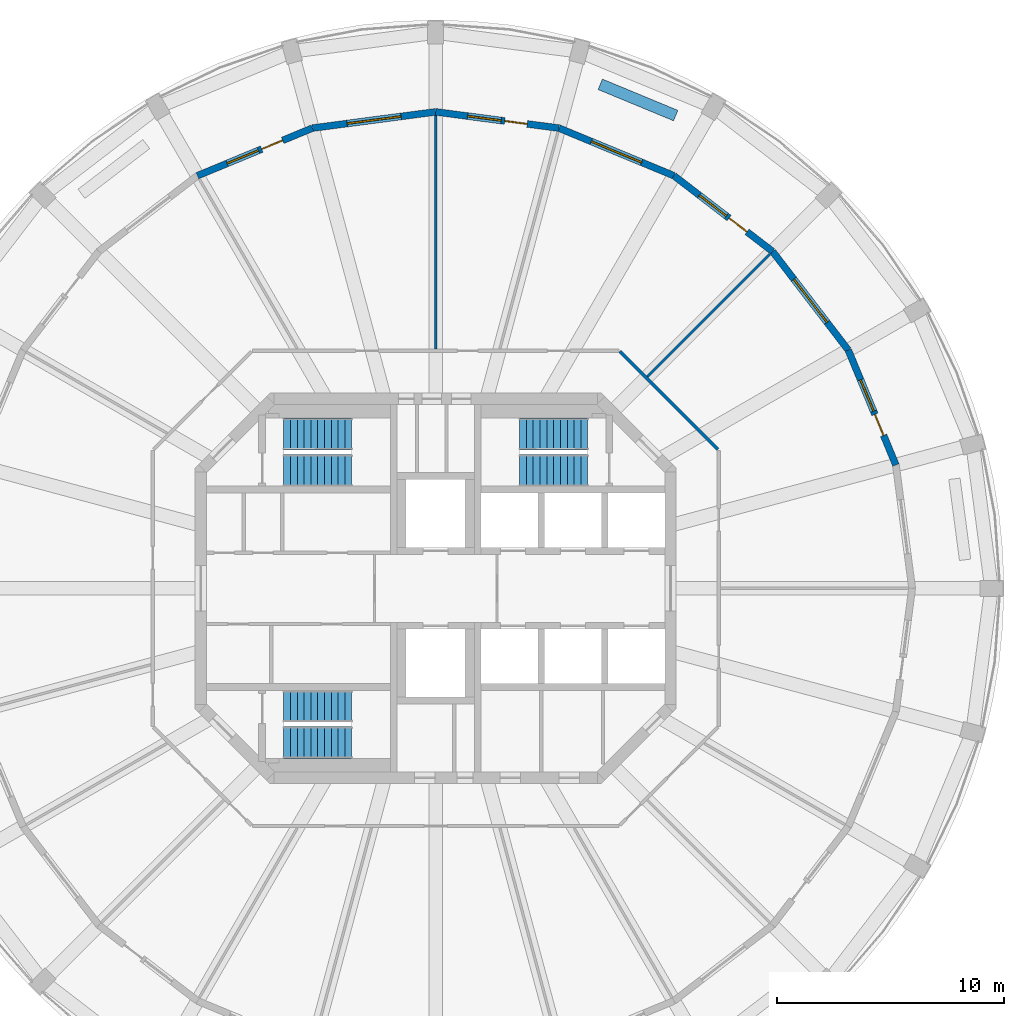
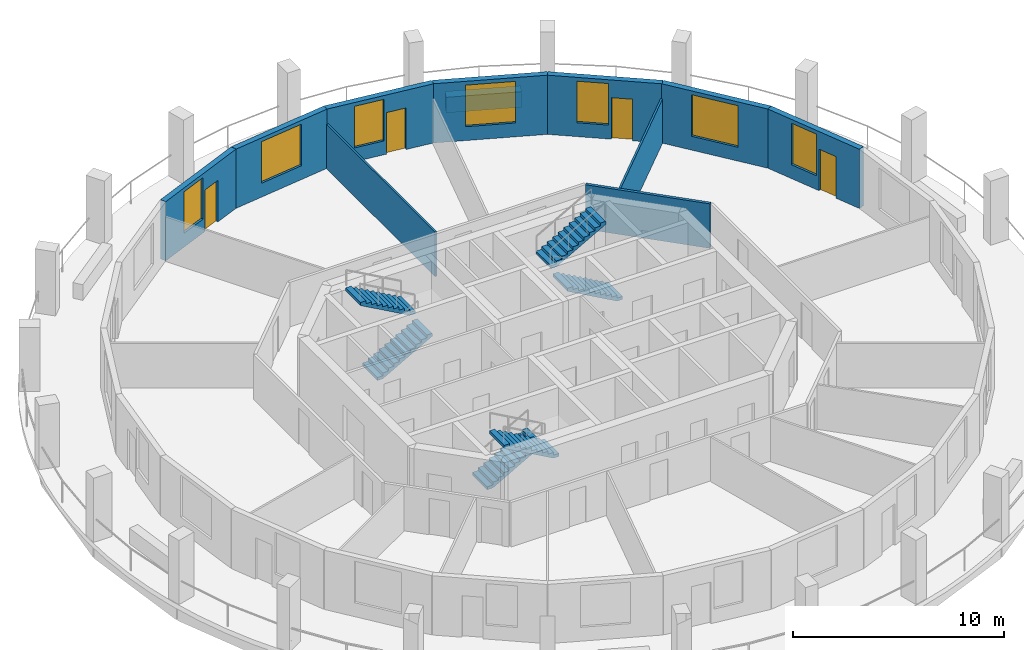
# One storey, part 6 of 8: 11 walls, 7 windows, 6 stair flights, 4 doors, 11 openings, 3 elements without a shape of their own.
"""IFC4 building model written with IfcOpenShell, lengths in metres."""

from ifc_helpers import new_model, si_unit, direction, frame, frame_2d, origin, place, context, subcontext, project, spatial, polyline, rectangle, outline, extrude, material, layer, layer_set, type_object, element, fill, aggregate, save


model = new_model("IFC4")

# Units and contexts
model_context = context("Model", 3, precision=1e-05, world=origin(), true_north=direction((0.0, 1.0)))
body_context = subcontext(model_context, "Body", "Model", "MODEL_VIEW")
ifc_project = project(units=[si_unit("LENGTHUNIT", "METRE"), si_unit("AREAUNIT", "SQUARE_METRE"), si_unit("VOLUMEUNIT", "CUBIC_METRE"), si_unit("PLANEANGLEUNIT", "RADIAN"), si_unit("MASSUNIT", "GRAM", prefix="KILO")], contexts=[model_context])

# Site, building, storey
site_placement = place(None, origin())
site = spatial("IfcSite", under=ifc_project, at=site_placement, CompositionType="ELEMENT")
building_placement = place(site_placement, origin())
building = spatial("IfcBuilding", under=site, at=building_placement, Name="Torre Triforio", CompositionType="ELEMENT")
storey_placement = place(building_placement, frame((0.0, 0.0, 261.199951171875)))
storey = spatial("IfcBuildingStorey", under=building, at=storey_placement, Name="L60", CompositionType="ELEMENT", Elevation=261.199951171875)

# Walls
ifc_material_1 = material(Name="Plasterboard on metal studs")
ifc_layer_1 = layer(ifc_material_1, 0.14990234375)
ifc_layer_set_1 = layer_set([ifc_layer_1], Name="Plasterboard on metal studs")
wall_type_1 = type_object("IfcWallType", Name="Corridor and tenancy wall 150 mm EI 60", PredefinedType="PARTITIONING", material=ifc_layer_set_1)
wall_1_placement = place(storey_placement, frame((8.120849609375, 10.43798828125, 0.0), z_axis=(0.0, 0.0, 1.0), x_axis=(0.707106781187, -0.707106781187, 0.0)))
element("IfcWall", 1, at=wall_1_placement, inside=storey, type_object=wall_type_1, Name="Partition 7", PredefinedType="PARTITIONING", context=body_context, shape_type="SweptSolid", body=[
    extrude(rectangle(XDim=6.10546875, YDim=0.14990234375, at=frame_2d((3.052734375, 0.0))), origin(), (0.0, 0.0, 1.0), 2.570068359375),
])
ifc_layer_2 = layer(ifc_material_1, 0.10009765625)
ifc_layer_set_2 = layer_set([ifc_layer_2], Name="Plasterboard on metal studs")
wall_type_2 = type_object("IfcWallType", Name="Partition 100 mm board on metal studs", PredefinedType="PARTITIONING", material=ifc_layer_set_2)
wall_2_placement = place(storey_placement, frame((9.33251953125, 9.33251953125, 0.0), z_axis=(0.0, 0.0, 1.0), x_axis=(0.707106781187, 0.707106781187, 0.0)))
element("IfcWall", 2, at=wall_2_placement, inside=storey, type_object=wall_type_2, Name="Partition 10", PredefinedType="PARTITIONING", context=body_context, shape_type="SweptSolid", body=[
    extrude(rectangle(XDim=7.638671875, YDim=0.10009765625, at=frame_2d((3.8193359375, 0.0))), origin(), (0.0, 0.0, 1.0), 2.570068359375),
])
wall_3_placement = place(storey_placement, frame((0.0, 10.550048828125, 0.0), z_axis=(0.0, 0.0, 1.0), x_axis=(0.0, 1.0, 0.0)))
element("IfcWall", 3, at=wall_3_placement, inside=storey, type_object=wall_type_2, Name="Partition 12", PredefinedType="PARTITIONING", context=body_context, shape_type="SweptSolid", body=[
    extrude(rectangle(XDim=10.28662109375, YDim=0.10009765625, at=frame_2d((5.143310546875, 0.0))), origin(), (0.0, 0.0, 1.0), 2.570068359375),
])
ifc_material_2 = material(Name="Limestone cladding", Category="masonry")
ifc_layer_3 = layer(ifc_material_2, 0.10009765625)
ifc_material_3 = material(Name="Concrete C40", Category="concrete")
ifc_layer_4 = layer(ifc_material_3, 0.39990234375)
ifc_layer_set_3 = layer_set([ifc_layer_3, ifc_layer_4], Name="Limestone cladding / Concrete C40")
wall_type_3 = type_object("IfcWallType", Name="Planter wall 500", PredefinedType="PARAPET", material=ifc_layer_set_3)
wall_4_placement = place(storey_placement, frame((10.57958984375, 20.837646484375, 0.0), z_axis=(0.0, 0.0, 1.0), x_axis=(-0.923909393783, 0.382611332921, 0.0)))
element("IfcWall", 4, at=wall_4_placement, inside=storey, type_object=wall_type_3, Name="Planter L60 bay 05", PredefinedType="PARAPET", context=body_context, shape_type="SweptSolid", body=[
    extrude(rectangle(XDim=3.60009765625, YDim=0.5, at=frame_2d((1.800048828125, 0.0))), origin(), (0.0, 0.0, 1.0), 0.900146484375),
])

# Wall, openings, door, window
ifc_layer_5 = layer(ifc_material_2, 0.10009765625)
ifc_layer_6 = layer(ifc_material_3, 0.199951171875)
ifc_layer_set_4 = layer_set([ifc_layer_5, ifc_layer_6], Name="Limestone cladding / Concrete C40")
wall_type_4 = type_object("IfcWallType", Name="Stone-faced composite wall 300", PredefinedType="STANDARD", material=ifc_layer_set_4)
wall_5_placement = place(storey_placement, frame((20.284423828125, 5.435302734375, 0.0), z_axis=(0.0, 0.0, 1.0), x_axis=(-0.382688740813, 0.923877333662, 0.0)))
wall_5 = element("IfcWall", 5, at=wall_5_placement, inside=storey, type_object=wall_type_4, Name="External wall L60 bay 02", PredefinedType="STANDARD", context=body_context, shape_type="SweptSolid", body=[
    extrude(rectangle(XDim=5.48193359375, YDim=0.300048828125, at=frame_2d((2.740966796875, 0.0))), origin(), (0.0, 0.0, 1.0), 3.420166015625),
])
opening_1_placement = place(wall_5_placement, frame((1.416015625, 0.0, 0.0)))
opening_1 = element("IfcOpeningElement", 6, at=opening_1_placement, cuts=wall_5, Name="Opening E1-D02", PredefinedType="OPENING", context=body_context, shape_type="SweptSolid", body=[
    extrude(rectangle(XDim=1.0, YDim=2.39990234375, at=frame_2d((0.5, 1.199951171875))), frame((0.0, 0.159912109375, 0.0), z_axis=(0.0, -1.0, 0.0), x_axis=(1.0, 0.0, 0.0)), (0.0, 0.0, 1.0), 0.320068359375),
])
opening_2_placement = place(wall_5_placement, frame((2.566162109375, 0.0, 0.800048828125)))
opening_2 = element("IfcOpeningElement", 7, at=opening_2_placement, cuts=wall_5, Name="Opening E1-W02A", PredefinedType="OPENING", context=body_context, shape_type="SweptSolid", body=[
    extrude(rectangle(XDim=1.5, YDim=2.39990234375, at=frame_2d((0.75, 1.199951171875))), frame((0.0, 0.159912109375, 0.0), z_axis=(0.0, -1.0, 0.0), x_axis=(1.0, 0.0, 0.0)), (0.0, 0.0, 1.0), 0.320068359375),
])
ifc_material_4 = material(Name="Aluminium frame with clear double glazing", Category="aluminium")
door_type = type_object("IfcDoorType", Name="Loggia door 1000 x 2400", OperationType="NOTDEFINED", PredefinedType="DOOR", material=ifc_material_4)
door_1_placement = place(opening_1_placement, origin())
door_1 = element("IfcDoor", 8, at=door_1_placement, inside=storey, type_object=door_type, Name="Loggia door L60 bay 02", OperationType="SINGLE_SWING_LEFT", OverallHeight=2.39990234375, OverallWidth=1.0, PredefinedType="DOOR", context=body_context, shape_type="SweptSolid", body=[
    extrude(rectangle(XDim=1.0, YDim=2.39990234375, at=frame_2d((0.5, 1.199951171875))), frame((0.0, 0.02490234375, 0.0), z_axis=(0.0, -1.0, 0.0), x_axis=(1.0, 0.0, 0.0)), (0.0, 0.0, 1.0), 0.050048828125),
])
fill(opening_1, door_1)
window_type_1 = type_object("IfcWindowType", Name="Side window 1500 x 2400", PartitioningType="SINGLE_PANEL", PredefinedType="WINDOW", material=ifc_material_4)
window_1_placement = place(opening_2_placement, origin())
window_1 = element("IfcWindow", 9, at=window_1_placement, inside=storey, type_object=window_type_1, Name="Side window EWN14 L60 bay 02", OverallHeight=2.39990234375, OverallWidth=1.5, PartitioningType="SINGLE_PANEL", PredefinedType="WINDOW", context=body_context, shape_type="SweptSolid", body=[
    extrude(rectangle(XDim=1.5, YDim=2.39990234375, at=frame_2d((0.75, 1.199951171875))), frame((0.0, 0.030029296875, 0.0), z_axis=(0.0, -1.0, 0.0), x_axis=(1.0, 0.0, 0.0)), (0.0, 0.0, 1.0), 0.06005859375),
])
fill(opening_2, window_1)

# Wall, opening, window
wall_6_placement = place(storey_placement, frame((18.1865234375, 10.5, 0.0), z_axis=(0.0, 0.0, 1.0), x_axis=(-0.608784891166, 0.793335336593, 0.0)))
wall_6 = element("IfcWall", 10, at=wall_6_placement, inside=storey, type_object=wall_type_4, Name="External wall L60 bay 03", PredefinedType="STANDARD", context=body_context, shape_type="SweptSolid", body=[
    extrude(rectangle(XDim=5.482177734375, YDim=0.300048828125, at=frame_2d((2.7412109375, 0.0))), origin(), (0.0, 0.0, 1.0), 3.420166015625),
])
opening_3_placement = place(wall_6_placement, frame((1.541015625, 0.0, 0.800048828125)))
opening_3 = element("IfcOpeningElement", 11, at=opening_3_placement, cuts=wall_6, Name="Opening E1-W03", PredefinedType="OPENING", context=body_context, shape_type="SweptSolid", body=[
    extrude(rectangle(XDim=2.39990234375, YDim=2.39990234375, at=frame_2d((1.199951171875, 1.199951171875))), frame((0.0, 0.159912109375, 0.0), z_axis=(0.0, -1.0, 0.0), x_axis=(1.0, 0.0, 0.0)), (0.0, 0.0, 1.0), 0.320068359375),
])
window_type_2 = type_object("IfcWindowType", Name="Punched window 2400 x 2400", PartitioningType="DOUBLE_PANEL_VERTICAL", PredefinedType="WINDOW", material=ifc_material_4)
window_2_placement = place(opening_3_placement, origin())
window_2 = element("IfcWindow", 12, at=window_2_placement, inside=storey, type_object=window_type_2, Name="Window EWN4 L60 bay 03", OverallHeight=2.39990234375, OverallWidth=2.39990234375, PartitioningType="SINGLE_PANEL", PredefinedType="WINDOW", context=body_context, shape_type="SweptSolid", body=[
    extrude(rectangle(XDim=2.39990234375, YDim=2.39990234375, at=frame_2d((1.199951171875, 1.199951171875))), frame((0.0, 0.030029296875, 0.0), z_axis=(0.0, -1.0, 0.0), x_axis=(1.0, 0.0, 0.0)), (0.0, 0.0, 1.0), 0.06005859375),
])
fill(opening_3, window_2)

# Wall, openings, door, window
wall_7_placement = place(storey_placement, frame((14.84912109375, 14.84912109375, 0.0), z_axis=(0.0, 0.0, 1.0), x_axis=(-0.793335336593, 0.608784891166, 0.0)))
wall_7 = element("IfcWall", 13, at=wall_7_placement, inside=storey, type_object=wall_type_4, Name="External wall L60 bay 04", PredefinedType="STANDARD", context=body_context, shape_type="SweptSolid", body=[
    extrude(rectangle(XDim=5.482177734375, YDim=0.300048828125, at=frame_2d((2.7412109375, 0.0))), origin(), (0.0, 0.0, 1.0), 3.420166015625),
])
opening_4_placement = place(wall_7_placement, frame((1.416015625, 0.0, 0.0)))
opening_4 = element("IfcOpeningElement", 14, at=opening_4_placement, cuts=wall_7, Name="Opening E1-D04", PredefinedType="OPENING", context=body_context, shape_type="SweptSolid", body=[
    extrude(rectangle(XDim=1.0, YDim=2.39990234375, at=frame_2d((0.5, 1.199951171875))), frame((0.0, 0.159912109375, 0.0), z_axis=(0.0, -1.0, 0.0), x_axis=(1.0, 0.0, 0.0)), (0.0, 0.0, 1.0), 0.320068359375),
])
opening_5_placement = place(wall_7_placement, frame((2.56591796875, 0.0, 0.800048828125)))
opening_5 = element("IfcOpeningElement", 15, at=opening_5_placement, cuts=wall_7, Name="Opening E1-W04A", PredefinedType="OPENING", context=body_context, shape_type="SweptSolid", body=[
    extrude(rectangle(XDim=1.5, YDim=2.39990234375, at=frame_2d((0.75, 1.199951171875))), frame((0.0, 0.159912109375, 0.0), z_axis=(0.0, -1.0, 0.0), x_axis=(1.0, 0.0, 0.0)), (0.0, 0.0, 1.0), 0.320068359375),
])
door_2_placement = place(opening_4_placement, origin())
door_2 = element("IfcDoor", 16, at=door_2_placement, inside=storey, type_object=door_type, Name="Loggia door L60 bay 04", OperationType="SINGLE_SWING_LEFT", OverallHeight=2.39990234375, OverallWidth=1.0, PredefinedType="DOOR", context=body_context, shape_type="SweptSolid", body=[
    extrude(rectangle(XDim=1.0, YDim=2.39990234375, at=frame_2d((0.5, 1.199951171875))), frame((0.0, 0.02490234375, 0.0), z_axis=(0.0, -1.0, 0.0), x_axis=(1.0, 0.0, 0.0)), (0.0, 0.0, 1.0), 0.050048828125),
])
fill(opening_4, door_2)
window_3_placement = place(opening_5_placement, origin())
window_3 = element("IfcWindow", 17, at=window_3_placement, inside=storey, type_object=window_type_1, Name="Side window EWN14 L60 bay 04", OverallHeight=2.39990234375, OverallWidth=1.5, PartitioningType="SINGLE_PANEL", PredefinedType="WINDOW", context=body_context, shape_type="SweptSolid", body=[
    extrude(rectangle(XDim=1.5, YDim=2.39990234375, at=frame_2d((0.75, 1.199951171875))), frame((0.0, 0.030029296875, 0.0), z_axis=(0.0, -1.0, 0.0), x_axis=(1.0, 0.0, 0.0)), (0.0, 0.0, 1.0), 0.06005859375),
])
fill(opening_5, window_3)

# Wall, opening, window
wall_8_placement = place(storey_placement, frame((10.5, 18.1865234375, 0.0), z_axis=(0.0, 0.0, 1.0), x_axis=(-0.923877333662, 0.382688740813, 0.0)))
wall_8 = element("IfcWall", 18, at=wall_8_placement, inside=storey, type_object=wall_type_4, Name="External wall L60 bay 05", PredefinedType="STANDARD", context=body_context, shape_type="SweptSolid", body=[
    extrude(rectangle(XDim=5.48193359375, YDim=0.300048828125, at=frame_2d((2.740966796875, 0.0))), origin(), (0.0, 0.0, 1.0), 3.420166015625),
])
opening_6_placement = place(wall_8_placement, frame((1.541015625, 0.0, 0.800048828125)))
opening_6 = element("IfcOpeningElement", 19, at=opening_6_placement, cuts=wall_8, Name="Opening E1-W05", PredefinedType="OPENING", context=body_context, shape_type="SweptSolid", body=[
    extrude(rectangle(XDim=2.39990234375, YDim=2.39990234375, at=frame_2d((1.199951171875, 1.199951171875))), frame((0.0, 0.159912109375, 0.0), z_axis=(0.0, -1.0, 0.0), x_axis=(1.0, 0.0, 0.0)), (0.0, 0.0, 1.0), 0.320068359375),
])
window_4_placement = place(opening_6_placement, origin())
window_4 = element("IfcWindow", 20, at=window_4_placement, inside=storey, type_object=window_type_2, Name="Window EWN4 L60 bay 05", OverallHeight=2.39990234375, OverallWidth=2.39990234375, PartitioningType="SINGLE_PANEL", PredefinedType="WINDOW", context=body_context, shape_type="SweptSolid", body=[
    extrude(rectangle(XDim=2.39990234375, YDim=2.39990234375, at=frame_2d((1.199951171875, 1.199951171875))), frame((0.0, 0.030029296875, 0.0), z_axis=(0.0, -1.0, 0.0), x_axis=(1.0, 0.0, 0.0)), (0.0, 0.0, 1.0), 0.06005859375),
])
fill(opening_6, window_4)

# Wall, openings, door, window
wall_9_placement = place(storey_placement, frame((5.435302734375, 20.284423828125, 0.0), z_axis=(0.0, 0.0, 1.0), x_axis=(-0.991444743541, 0.130527087244, 0.0)))
wall_9 = element("IfcWall", 21, at=wall_9_placement, inside=storey, type_object=wall_type_4, Name="External wall L60 bay 06", PredefinedType="STANDARD", context=body_context, shape_type="SweptSolid", body=[
    extrude(rectangle(XDim=5.482177734375, YDim=0.300048828125, at=frame_2d((2.7412109375, 0.0))), origin(), (0.0, 0.0, 1.0), 3.420166015625),
])
opening_7_placement = place(wall_9_placement, frame((1.416015625, 0.0, 0.0)))
opening_7 = element("IfcOpeningElement", 22, at=opening_7_placement, cuts=wall_9, Name="Opening E1-D06", PredefinedType="OPENING", context=body_context, shape_type="SweptSolid", body=[
    extrude(rectangle(XDim=1.0, YDim=2.39990234375, at=frame_2d((0.5, 1.199951171875))), frame((0.0, 0.159912109375, 0.0), z_axis=(0.0, -1.0, 0.0), x_axis=(1.0, 0.0, 0.0)), (0.0, 0.0, 1.0), 0.320068359375),
])
opening_8_placement = place(wall_9_placement, frame((2.566162109375, 0.0, 0.800048828125)))
opening_8 = element("IfcOpeningElement", 23, at=opening_8_placement, cuts=wall_9, Name="Opening E1-W06A", PredefinedType="OPENING", context=body_context, shape_type="SweptSolid", body=[
    extrude(rectangle(XDim=1.5, YDim=2.39990234375, at=frame_2d((0.75, 1.199951171875))), frame((0.0, 0.159912109375, 0.0), z_axis=(0.0, -1.0, 0.0), x_axis=(1.0, 0.0, 0.0)), (0.0, 0.0, 1.0), 0.320068359375),
])
door_3_placement = place(opening_7_placement, origin())
door_3 = element("IfcDoor", 24, at=door_3_placement, inside=storey, type_object=door_type, Name="Loggia door L60 bay 06", OperationType="SINGLE_SWING_LEFT", OverallHeight=2.39990234375, OverallWidth=1.0, PredefinedType="DOOR", context=body_context, shape_type="SweptSolid", body=[
    extrude(rectangle(XDim=1.0, YDim=2.39990234375, at=frame_2d((0.5, 1.199951171875))), frame((0.0, 0.02490234375, 0.0), z_axis=(0.0, -1.0, 0.0), x_axis=(1.0, 0.0, 0.0)), (0.0, 0.0, 1.0), 0.050048828125),
])
fill(opening_7, door_3)
window_5_placement = place(opening_8_placement, origin())
window_5 = element("IfcWindow", 25, at=window_5_placement, inside=storey, type_object=window_type_1, Name="Side window EWN14 L60 bay 06", OverallHeight=2.39990234375, OverallWidth=1.5, PartitioningType="SINGLE_PANEL", PredefinedType="WINDOW", context=body_context, shape_type="SweptSolid", body=[
    extrude(rectangle(XDim=1.5, YDim=2.39990234375, at=frame_2d((0.75, 1.199951171875))), frame((0.0, 0.030029296875, 0.0), z_axis=(0.0, -1.0, 0.0), x_axis=(1.0, 0.0, 0.0)), (0.0, 0.0, 1.0), 0.06005859375),
])
fill(opening_8, window_5)

# Wall, opening, window
wall_10_placement = place(storey_placement, frame((0.0, 21.0, 0.0), z_axis=(0.0, 0.0, 1.0), x_axis=(-0.991444743541, -0.130527087244, 0.0)))
wall_10 = element("IfcWall", 26, at=wall_10_placement, inside=storey, type_object=wall_type_4, Name="External wall L60 bay 07", PredefinedType="STANDARD", context=body_context, shape_type="SweptSolid", body=[
    extrude(rectangle(XDim=5.482177734375, YDim=0.300048828125, at=frame_2d((2.7412109375, 0.0))), origin(), (0.0, 0.0, 1.0), 3.420166015625),
])
opening_9_placement = place(wall_10_placement, frame((1.541015625, 0.0, 0.800048828125)))
opening_9 = element("IfcOpeningElement", 27, at=opening_9_placement, cuts=wall_10, Name="Opening E1-W07", PredefinedType="OPENING", context=body_context, shape_type="SweptSolid", body=[
    extrude(rectangle(XDim=2.39990234375, YDim=2.39990234375, at=frame_2d((1.199951171875, 1.199951171875))), frame((0.0, 0.159912109375, 0.0), z_axis=(0.0, -1.0, 0.0), x_axis=(1.0, 0.0, 0.0)), (0.0, 0.0, 1.0), 0.320068359375),
])
window_6_placement = place(opening_9_placement, origin())
window_6 = element("IfcWindow", 28, at=window_6_placement, inside=storey, type_object=window_type_2, Name="Window EWN4 L60 bay 07", OverallHeight=2.39990234375, OverallWidth=2.39990234375, PartitioningType="SINGLE_PANEL", PredefinedType="WINDOW", context=body_context, shape_type="SweptSolid", body=[
    extrude(rectangle(XDim=2.39990234375, YDim=2.39990234375, at=frame_2d((1.199951171875, 1.199951171875))), frame((0.0, 0.030029296875, 0.0), z_axis=(0.0, -1.0, 0.0), x_axis=(1.0, 0.0, 0.0)), (0.0, 0.0, 1.0), 0.06005859375),
])
fill(opening_9, window_6)

# Wall, openings, door, window
wall_11_placement = place(storey_placement, frame((-5.435302734375, 20.284423828125, 0.0), z_axis=(0.0, 0.0, 1.0), x_axis=(-0.923877333662, -0.382688740813, 0.0)))
wall_11 = element("IfcWall", 29, at=wall_11_placement, inside=storey, type_object=wall_type_4, Name="External wall L60 bay 08", PredefinedType="STANDARD", context=body_context, shape_type="SweptSolid", body=[
    extrude(rectangle(XDim=5.48193359375, YDim=0.300048828125, at=frame_2d((2.740966796875, 0.0))), origin(), (0.0, 0.0, 1.0), 3.420166015625),
])
opening_10_placement = place(wall_11_placement, frame((1.416015625, 0.0, 0.0)))
opening_10 = element("IfcOpeningElement", 30, at=opening_10_placement, cuts=wall_11, Name="Opening E1-D08", PredefinedType="OPENING", context=body_context, shape_type="SweptSolid", body=[
    extrude(rectangle(XDim=1.0, YDim=2.39990234375, at=frame_2d((0.5, 1.199951171875))), frame((0.0, 0.159912109375, 0.0), z_axis=(0.0, -1.0, 0.0), x_axis=(1.0, 0.0, 0.0)), (0.0, 0.0, 1.0), 0.320068359375),
])
opening_11_placement = place(wall_11_placement, frame((2.566162109375, 0.0, 0.800048828125)))
opening_11 = element("IfcOpeningElement", 31, at=opening_11_placement, cuts=wall_11, Name="Opening E1-W08A", PredefinedType="OPENING", context=body_context, shape_type="SweptSolid", body=[
    extrude(rectangle(XDim=1.5, YDim=2.39990234375, at=frame_2d((0.75, 1.199951171875))), frame((0.0, 0.159912109375, 0.0), z_axis=(0.0, -1.0, 0.0), x_axis=(1.0, 0.0, 0.0)), (0.0, 0.0, 1.0), 0.320068359375),
])
door_4_placement = place(opening_10_placement, origin())
door_4 = element("IfcDoor", 32, at=door_4_placement, inside=storey, type_object=door_type, Name="Loggia door L60 bay 08", OperationType="SINGLE_SWING_LEFT", OverallHeight=2.39990234375, OverallWidth=1.0, PredefinedType="DOOR", context=body_context, shape_type="SweptSolid", body=[
    extrude(rectangle(XDim=1.0, YDim=2.39990234375, at=frame_2d((0.5, 1.199951171875))), frame((0.0, 0.02490234375, 0.0), z_axis=(0.0, -1.0, 0.0), x_axis=(1.0, 0.0, 0.0)), (0.0, 0.0, 1.0), 0.050048828125),
])
fill(opening_10, door_4)
window_7_placement = place(opening_11_placement, origin())
window_7 = element("IfcWindow", 33, at=window_7_placement, inside=storey, type_object=window_type_1, Name="Side window EWN14 L60 bay 08", OverallHeight=2.39990234375, OverallWidth=1.5, PartitioningType="SINGLE_PANEL", PredefinedType="WINDOW", context=body_context, shape_type="SweptSolid", body=[
    extrude(rectangle(XDim=1.5, YDim=2.39990234375, at=frame_2d((0.75, 1.199951171875))), frame((0.0, 0.030029296875, 0.0), z_axis=(0.0, -1.0, 0.0), x_axis=(1.0, 0.0, 0.0)), (0.0, 0.0, 1.0), 0.06005859375),
])
fill(opening_11, window_7)

# Stair, stair flights
stair_type = type_object("IfcStairType", Name="STAIR HALF-TURN", PredefinedType="HALF_TURN_STAIR", material=ifc_material_3)
stair_1_placement = place(storey_placement, origin())
stair_1 = element("IfcStair", 34, at=stair_1_placement, inside=storey, type_object=stair_type, Name="Exit stair 1", PredefinedType="HALF_TURN_STAIR")
stair_flight_type = type_object("IfcStairFlightType", Name="STAIR FLIGHT 1400", PredefinedType="STRAIGHT", material=ifc_material_3)
stair_flight_1_placement = place(storey_placement, frame((-6.699951171875, 5.199951171875, 0.0), z_axis=(0.0, 0.0, 1.0), x_axis=(1.0, 0.0, 0.0)))
stair_flight_1 = element("IfcStairFlight", 35, at=stair_flight_1_placement, type_object=stair_flight_type, Name="ST1 flight 1", NumberOfRisers=11, NumberOfTreads=10, PredefinedType="STRAIGHT", RiserHeight=0.168181818, TreadLength=0.3, context=body_context, shape_type="SweptSolid", body=[
    extrude(outline(polyline([(0.0, 0.0), (0.0, 0.168212890625), (0.300048828125, 0.168212890625), (0.300048828125, 0.33642578125), (0.60009765625, 0.33642578125), (0.60009765625, 0.504638671875), (0.89990234375, 0.504638671875), (0.89990234375, 0.672607421875), (1.199951171875, 0.672607421875), (1.199951171875, 0.8408203125), (1.5, 0.8408203125), (1.5, 1.009033203125), (1.800048828125, 1.009033203125), (1.800048828125, 1.17724609375), (2.10009765625, 1.17724609375), (2.10009765625, 1.345458984375), (2.39990234375, 1.345458984375), (2.39990234375, 1.513671875), (2.699951171875, 1.513671875), (2.699951171875, 1.681884765625), (3.0, 1.681884765625), (3.0, 1.85009765625), (3.0, 1.510009765625), (0.306640625, 0.0), (0.0, 0.0)])), frame((0.0, 0.699951171875, 0.0), z_axis=(0.0, -1.0, 0.0), x_axis=(1.0, 0.0, 0.0)), (0.0, 0.0, 1.0), 1.39990234375),
])
stair_flight_2_placement = place(storey_placement, frame((-3.699951171875, 6.800048828125, 1.85009765625), z_axis=(0.0, 0.0, 1.0), x_axis=(-1.0, 0.0, 0.0)))
stair_flight_2 = element("IfcStairFlight", 36, at=stair_flight_2_placement, type_object=stair_flight_type, Name="ST1 flight 2", NumberOfRisers=11, NumberOfTreads=10, PredefinedType="STRAIGHT", RiserHeight=0.168181818, TreadLength=0.3, context=body_context, shape_type="SweptSolid", body=[
    extrude(outline(polyline([(0.0, 0.0), (0.0, 0.168212890625), (0.300048828125, 0.168212890625), (0.300048828125, 0.33642578125), (0.60009765625, 0.33642578125), (0.60009765625, 0.504638671875), (0.89990234375, 0.504638671875), (0.89990234375, 0.672607421875), (1.199951171875, 0.672607421875), (1.199951171875, 0.8408203125), (1.5, 0.8408203125), (1.5, 1.009033203125), (1.800048828125, 1.009033203125), (1.800048828125, 1.17724609375), (2.10009765625, 1.17724609375), (2.10009765625, 1.345458984375), (2.39990234375, 1.345458984375), (2.39990234375, 1.513671875), (2.699951171875, 1.513671875), (2.699951171875, 1.681884765625), (3.0, 1.681884765625), (3.0, 1.85009765625), (3.0, 1.510009765625), (0.306640625, 0.0), (0.0, 0.0)])), frame((0.0, 0.699951171875, 0.0), z_axis=(0.0, -1.0, 0.0), x_axis=(1.0, 0.0, 0.0)), (0.0, 0.0, 1.0), 1.39990234375),
])
aggregate(stair_1, [stair_flight_1, stair_flight_2])

stair_2_placement = place(storey_placement, origin())
stair_2 = element("IfcStair", 37, at=stair_2_placement, inside=storey, type_object=stair_type, Name="Exit stair 2", PredefinedType="HALF_TURN_STAIR")
stair_flight_3_placement = place(storey_placement, frame((6.699951171875, 5.199951171875, 0.0), z_axis=(0.0, 0.0, 1.0), x_axis=(-1.0, 0.0, 0.0)))
stair_flight_3 = element("IfcStairFlight", 38, at=stair_flight_3_placement, type_object=stair_flight_type, Name="ST2 flight 1", NumberOfRisers=11, NumberOfTreads=10, PredefinedType="STRAIGHT", RiserHeight=0.168181818, TreadLength=0.3, context=body_context, shape_type="SweptSolid", body=[
    extrude(outline(polyline([(0.0, 0.0), (0.0, 0.168212890625), (0.300048828125, 0.168212890625), (0.300048828125, 0.33642578125), (0.60009765625, 0.33642578125), (0.60009765625, 0.504638671875), (0.89990234375, 0.504638671875), (0.89990234375, 0.672607421875), (1.199951171875, 0.672607421875), (1.199951171875, 0.8408203125), (1.5, 0.8408203125), (1.5, 1.009033203125), (1.800048828125, 1.009033203125), (1.800048828125, 1.17724609375), (2.10009765625, 1.17724609375), (2.10009765625, 1.345458984375), (2.39990234375, 1.345458984375), (2.39990234375, 1.513671875), (2.699951171875, 1.513671875), (2.699951171875, 1.681884765625), (3.0, 1.681884765625), (3.0, 1.85009765625), (3.0, 1.510009765625), (0.306640625, 0.0), (0.0, 0.0)])), frame((0.0, 0.699951171875, 0.0), z_axis=(0.0, -1.0, 0.0), x_axis=(1.0, 0.0, 0.0)), (0.0, 0.0, 1.0), 1.39990234375),
])
stair_flight_4_placement = place(storey_placement, frame((3.699951171875, 6.800048828125, 1.85009765625), z_axis=(0.0, 0.0, 1.0), x_axis=(1.0, 0.0, 0.0)))
stair_flight_4 = element("IfcStairFlight", 39, at=stair_flight_4_placement, type_object=stair_flight_type, Name="ST2 flight 2", NumberOfRisers=11, NumberOfTreads=10, PredefinedType="STRAIGHT", RiserHeight=0.168181818, TreadLength=0.3, context=body_context, shape_type="SweptSolid", body=[
    extrude(outline(polyline([(0.0, 0.0), (0.0, 0.168212890625), (0.300048828125, 0.168212890625), (0.300048828125, 0.33642578125), (0.60009765625, 0.33642578125), (0.60009765625, 0.504638671875), (0.89990234375, 0.504638671875), (0.89990234375, 0.672607421875), (1.199951171875, 0.672607421875), (1.199951171875, 0.8408203125), (1.5, 0.8408203125), (1.5, 1.009033203125), (1.800048828125, 1.009033203125), (1.800048828125, 1.17724609375), (2.10009765625, 1.17724609375), (2.10009765625, 1.345458984375), (2.39990234375, 1.345458984375), (2.39990234375, 1.513671875), (2.699951171875, 1.513671875), (2.699951171875, 1.681884765625), (3.0, 1.681884765625), (3.0, 1.85009765625), (3.0, 1.510009765625), (0.306640625, 0.0), (0.0, 0.0)])), frame((0.0, 0.699951171875, 0.0), z_axis=(0.0, -1.0, 0.0), x_axis=(1.0, 0.0, 0.0)), (0.0, 0.0, 1.0), 1.39990234375),
])
aggregate(stair_2, [stair_flight_3, stair_flight_4])

stair_3_placement = place(storey_placement, origin())
stair_3 = element("IfcStair", 40, at=stair_3_placement, inside=storey, type_object=stair_type, Name="Exit stair 3", PredefinedType="HALF_TURN_STAIR")
stair_flight_5_placement = place(storey_placement, frame((-6.699951171875, -5.199951171875, 0.0), z_axis=(0.0, 0.0, 1.0), x_axis=(1.0, 0.0, 0.0)))
stair_flight_5 = element("IfcStairFlight", 41, at=stair_flight_5_placement, type_object=stair_flight_type, Name="ST3 flight 1", NumberOfRisers=11, NumberOfTreads=10, PredefinedType="STRAIGHT", RiserHeight=0.168181818, TreadLength=0.3, context=body_context, shape_type="SweptSolid", body=[
    extrude(outline(polyline([(0.0, 0.0), (0.0, 0.168212890625), (0.300048828125, 0.168212890625), (0.300048828125, 0.33642578125), (0.60009765625, 0.33642578125), (0.60009765625, 0.504638671875), (0.89990234375, 0.504638671875), (0.89990234375, 0.672607421875), (1.199951171875, 0.672607421875), (1.199951171875, 0.8408203125), (1.5, 0.8408203125), (1.5, 1.009033203125), (1.800048828125, 1.009033203125), (1.800048828125, 1.17724609375), (2.10009765625, 1.17724609375), (2.10009765625, 1.345458984375), (2.39990234375, 1.345458984375), (2.39990234375, 1.513671875), (2.699951171875, 1.513671875), (2.699951171875, 1.681884765625), (3.0, 1.681884765625), (3.0, 1.85009765625), (3.0, 1.510009765625), (0.306640625, 0.0), (0.0, 0.0)])), frame((0.0, 0.699951171875, 0.0), z_axis=(0.0, -1.0, 0.0), x_axis=(1.0, 0.0, 0.0)), (0.0, 0.0, 1.0), 1.39990234375),
])
stair_flight_6_placement = place(storey_placement, frame((-3.699951171875, -6.800048828125, 1.85009765625), z_axis=(0.0, 0.0, 1.0), x_axis=(-1.0, 0.0, 0.0)))
stair_flight_6 = element("IfcStairFlight", 42, at=stair_flight_6_placement, type_object=stair_flight_type, Name="ST3 flight 2", NumberOfRisers=11, NumberOfTreads=10, PredefinedType="STRAIGHT", RiserHeight=0.168181818, TreadLength=0.3, context=body_context, shape_type="SweptSolid", body=[
    extrude(outline(polyline([(0.0, 0.0), (0.0, 0.168212890625), (0.300048828125, 0.168212890625), (0.300048828125, 0.33642578125), (0.60009765625, 0.33642578125), (0.60009765625, 0.504638671875), (0.89990234375, 0.504638671875), (0.89990234375, 0.672607421875), (1.199951171875, 0.672607421875), (1.199951171875, 0.8408203125), (1.5, 0.8408203125), (1.5, 1.009033203125), (1.800048828125, 1.009033203125), (1.800048828125, 1.17724609375), (2.10009765625, 1.17724609375), (2.10009765625, 1.345458984375), (2.39990234375, 1.345458984375), (2.39990234375, 1.513671875), (2.699951171875, 1.513671875), (2.699951171875, 1.681884765625), (3.0, 1.681884765625), (3.0, 1.85009765625), (3.0, 1.510009765625), (0.306640625, 0.0), (0.0, 0.0)])), frame((0.0, 0.699951171875, 0.0), z_axis=(0.0, -1.0, 0.0), x_axis=(1.0, 0.0, 0.0)), (0.0, 0.0, 1.0), 1.39990234375),
])
aggregate(stair_3, [stair_flight_5, stair_flight_6])

save(model, "model.ifc")
